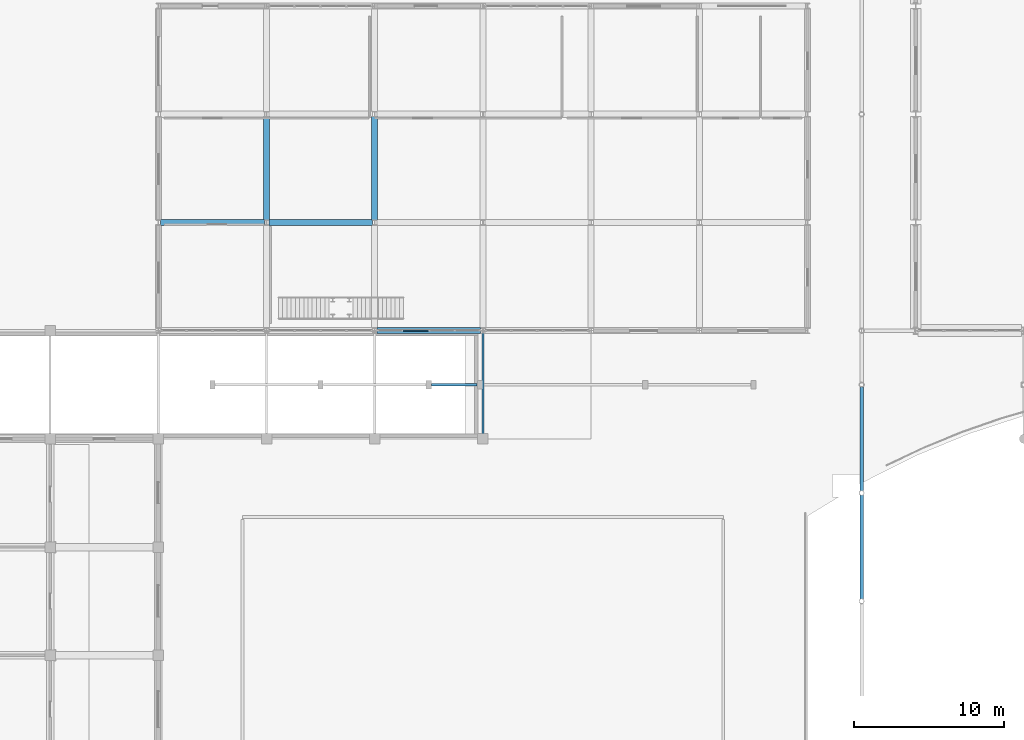
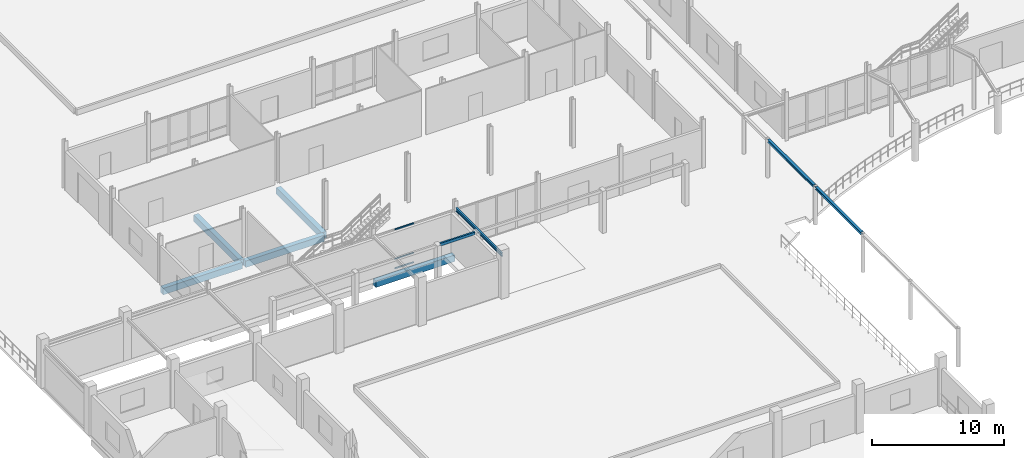
# One storey, part 31 of 139: 9 beams, 3 members, 1 element without a shape of its own.
"""IFC4 building model written with IfcOpenShell, lengths in metres."""

import ifcopenshell
import ifcopenshell.guid

model = None  # the IFC model being written
_history = None  # IfcOwnerHistory: only IFC2X3 demands one
_inside = {}  # id of a spatial element -> (the spatial element, [elements in it])
_under = {}  # id of a project, library or spatial element -> (it, [spatial elements below it])
_declared = {}  # id of a project -> (the project, [libraries it declares])
_typed = {}  # id of a type object -> (the type object, [elements of that type])
_made_of = {}  # id of a material, layer set ... -> (it, [elements and type objects made of it])


def new_model(schema):
    """Start an empty IFC model of exactly this schema.

    Asked for "IFC4X3", IfcOpenShell would pick the latest addendum, in which some entities
    have other attributes; the version numbers below select the first issue.
    IFC2X3 requires an IfcOwnerHistory on every rooted entity: one is made here for all.
    """
    global model, _history
    if schema == "IFC4X3":
        model = ifcopenshell.file(schema_version=(4, 3, 0, 0))
    else:
        model = ifcopenshell.file(schema=schema)
    _inside.clear()
    _under.clear()
    _declared.clear()
    _typed.clear()
    _made_of.clear()
    _history = None
    if model.schema == "IFC2X3":
        org = make("IfcOrganization", Name="unknown")
        user = make(
            "IfcPersonAndOrganization",
            ThePerson=make("IfcPerson", FamilyName="unknown"),
            TheOrganization=org,
        )
        app = make(
            "IfcApplication",
            ApplicationDeveloper=org,
            Version="unknown",
            ApplicationFullName="unknown",
            ApplicationIdentifier="unknown",
        )
        _history = make(
            "IfcOwnerHistory",
            OwningUser=user,
            OwningApplication=app,
            ChangeAction="ADDED",
            CreationDate=0,
        )
    return model


def make(cls, **values):
    """One entity of the class cls with the attributes given. An attribute that is None is left unset."""
    return model.create_entity(
        cls, **{name: value for name, value in values.items() if value is not None}
    )


def rooted(cls, **values):
    """An entity with a GlobalId (a new one), such as an element, a storey or a relation."""
    return make(cls, GlobalId=ifcopenshell.guid.new(), OwnerHistory=_history, **values)


def si_unit(unit_type, name, prefix=None):
    """IfcSIUnit, for example si_unit("LENGTHUNIT", "METRE", prefix="MILLI")."""
    return make("IfcSIUnit", UnitType=unit_type, Prefix=prefix, Name=name)


def assignment(units):
    """IfcUnitAssignment: the units of a project."""
    return None if units is None else make("IfcUnitAssignment", Units=units)


def point(xyz):
    """IfcCartesianPoint."""
    return None if xyz is None else make("IfcCartesianPoint", Coordinates=xyz)


def direction(xyz):
    """IfcDirection."""
    return None if xyz is None else make("IfcDirection", DirectionRatios=xyz)


def frame(location, z_axis=None, x_axis=None):
    """IfcAxis2Placement3D, a coordinate frame: its origin and axes. An axis left out is left unset."""
    return make(
        "IfcAxis2Placement3D",
        Location=point(location),
        Axis=direction(z_axis),
        RefDirection=direction(x_axis),
    )


def frame_2d(location, x_axis=None):
    """IfcAxis2Placement2D, a coordinate frame in the plane: its origin and x axis."""
    return make(
        "IfcAxis2Placement2D", Location=point(location), RefDirection=direction(x_axis)
    )


def origin():
    """The frame at (0, 0, 0) with its axes left unset."""
    return frame((0.0, 0.0, 0.0))


def origin_2d():
    """The frame at (0, 0) in the plane with its x axis left unset."""
    return frame_2d((0.0, 0.0))


def place(relative_to, where):
    """IfcLocalPlacement: puts the frame where relative to a parent placement (None: the world)."""
    return make(
        "IfcLocalPlacement", PlacementRelTo=relative_to, RelativePlacement=where
    )


def context(
    kind, dimensions, precision=None, world=None, true_north=None, identifier=None
):
    """IfcGeometricRepresentationContext, for example the 3D "Model" context."""
    return make(
        "IfcGeometricRepresentationContext",
        ContextIdentifier=identifier,
        ContextType=kind,
        CoordinateSpaceDimension=dimensions,
        Precision=precision,
        WorldCoordinateSystem=world,
        TrueNorth=true_north,
    )


def subcontext(parent, identifier, kind, view, scale=None):
    """IfcGeometricRepresentationSubContext, for example "Body" below "Model"."""
    return make(
        "IfcGeometricRepresentationSubContext",
        ContextIdentifier=identifier,
        ContextType=kind,
        ParentContext=parent,
        TargetScale=scale,
        TargetView=view,
    )


def project(units=None, contexts=None):
    """IfcProject with its units and contexts."""
    return rooted(
        "IfcProject",
        Name="project",
        RepresentationContexts=contexts,
        UnitsInContext=assignment(units),
    )


def spatial(cls, under=None, at=None, **own):
    """A site, building, storey or space (cls), placed at a placement, below another one or the project."""
    s = rooted(cls, ObjectPlacement=at, **own)
    if under is not None:
        _under.setdefault(under.id(), (under, []))[1].append(s)
    return s


def profile(cls, at=None, kind="AREA", **sizes):
    """A parametric profile (cls). Its sizes go by their IFC names, for example OverallWidth=200.0."""
    return make(cls, ProfileType=kind, Position=at, **sizes)


def rectangle(**sizes):
    """IfcRectangleProfileDef."""
    return profile("IfcRectangleProfileDef", **sizes)


def hollow_rectangle(**sizes):
    """IfcRectangleHollowProfileDef."""
    return profile("IfcRectangleHollowProfileDef", **sizes)


def i_section(**sizes):
    """IfcIShapeProfileDef."""
    return profile("IfcIShapeProfileDef", **sizes)


def extrude(swept, where, along, depth):
    """IfcExtrudedAreaSolid: the profile swept, set in the frame where, extruded along a direction by depth."""
    return make(
        "IfcExtrudedAreaSolid",
        SweptArea=swept,
        Position=where,
        ExtrudedDirection=direction(along),
        Depth=depth,
    )


def shape(context_of_items, identifier, shape_type, items):
    """IfcShapeRepresentation: the items that make up one representation, for example the "Body"."""
    return make(
        "IfcShapeRepresentation",
        ContextOfItems=context_of_items,
        RepresentationIdentifier=identifier,
        RepresentationType=shape_type,
        Items=items,
    )


def material(Name=None, Category=None):
    """IfcMaterial."""
    return make("IfcMaterial", Name=Name, Category=Category)


def material_profile(
    of_material, cross_section, Name=None, Category=None, Priority=None
):
    """IfcMaterialProfile: a cross section and its material."""
    return make(
        "IfcMaterialProfile",
        Name=Name,
        Material=of_material,
        Profile=cross_section,
        Priority=Priority,
        Category=Category,
    )


def profile_set(profiles, Name=None, composite=None):
    """IfcMaterialProfileSet."""
    return make(
        "IfcMaterialProfileSet",
        Name=Name,
        MaterialProfiles=profiles,
        CompositeProfile=composite,
    )


def made_of(thing, what):
    """Note that an element or type object is made of a material, layer set ...; save() writes the relation."""
    if what is not None:
        _made_of.setdefault(what.id(), (what, []))[1].append(thing)
    return thing


def type_object(cls, material=None, **own):
    """A type object (cls), such as IfcWallType, which elements share."""
    return made_of(rooted(cls, **own), material)


def element(
    cls,
    number,
    at=None,
    inside=None,
    cuts=None,
    type_object=None,
    material=None,
    context=None,
    identifier="Body",
    shape_type=None,
    held_by="IfcProductDefinitionShape",
    body=None,
    shapes=None,
    **own,
):
    """One element of the class cls, such as IfcWall. Its Tag is "e" and its number.

    at: its placement. inside: the storey or other place that contains it. cuts: it is an
    opening in that element (IfcRelVoidsElement). A single representation is given by context,
    identifier, shape_type and body (its items); several are given by shapes. held_by: the class
    of the entity that holds the representations. save() writes the other relations.
    """
    e = rooted(cls, Tag="e%d" % number, ObjectPlacement=at, **own)
    if body is not None:
        shapes = [shape(context, identifier, shape_type, body)]
    if shapes is not None:
        e.Representation = make(held_by, Representations=shapes)
    if inside is not None:
        _inside.setdefault(inside.id(), (inside, []))[1].append(e)
    if cuts is not None:
        rooted(
            "IfcRelVoidsElement", RelatingBuildingElement=cuts, RelatedOpeningElement=e
        )
    if type_object is not None:
        _typed.setdefault(type_object.id(), (type_object, []))[1].append(e)
    return made_of(e, material)


def aggregate(whole, parts):
    """IfcRelAggregates: a whole, such as a stair, and the parts it consists of."""
    return rooted("IfcRelAggregates", RelatingObject=whole, RelatedObjects=parts)


def save(model, path):
    """Write the relations noted so far, then the file.

    IfcRelAggregates (storeys below a building ...), IfcRelContainedInSpatialStructure (elements
    in a storey), IfcRelDefinesByType, IfcRelAssociatesMaterial and IfcRelDeclares: one each for
    every whole, place, type object, material and project.
    """
    for whole, parts in _under.values():
        aggregate(whole, parts)
    for where, things in _inside.values():
        rooted(
            "IfcRelContainedInSpatialStructure",
            RelatedElements=things,
            RelatingStructure=where,
        )
    for kind, things in _typed.values():
        rooted("IfcRelDefinesByType", RelatedObjects=things, RelatingType=kind)
    for what, things in _made_of.values():
        rooted("IfcRelAssociatesMaterial", RelatedObjects=things, RelatingMaterial=what)
    for by, libraries in _declared.values():
        rooted("IfcRelDeclares", RelatingContext=by, RelatedDefinitions=libraries)
    model.write(path)


model = new_model("IFC4")

# Units and contexts
model_context = context("Model", 3, precision=1e-05, world=origin(), true_north=direction((0.0, 1.0)))
body_context = subcontext(model_context, "Body", "Model", "MODEL_VIEW")
ifc_project = project(units=[si_unit("LENGTHUNIT", "METRE"), si_unit("AREAUNIT", "SQUARE_METRE"), si_unit("VOLUMEUNIT", "CUBIC_METRE"), si_unit("PLANEANGLEUNIT", "RADIAN"), si_unit("MASSUNIT", "GRAM", prefix="KILO")], contexts=[model_context])

# Site, building, storey
site_placement = place(None, origin())
site = spatial("IfcSite", under=ifc_project, at=site_placement, CompositionType="ELEMENT")
building_placement = place(site_placement, origin())
building = spatial("IfcBuilding", under=site, at=building_placement, Name="Suanplinth Sawtooth Commons", CompositionType="ELEMENT")
storey_placement = place(building_placement, origin())
storey = spatial("IfcBuildingStorey", under=building, at=storey_placement, Name="L00", CompositionType="ELEMENT", Elevation=0.0)

# Beams
ifc_material_1 = material(Name="Precast concrete C40/50", Category="concrete")
ifc_material_profile_1 = material_profile(ifc_material_1, rectangle(XDim=0.39990234375, YDim=0.60009765625, at=origin_2d()), Name="PC-GDR 400x600")
ifc_profile_set_1 = profile_set([ifc_material_profile_1], Name="Precast concrete C40/50")
beam_type_1 = type_object("IfcBeamType", Name="B-05", PredefinedType="USERDEFINED", material=ifc_profile_set_1)
for number, where, z_axis, x_axis, name in (
    (1, (14.550048828125, 57.60009765625, -0.7099609375), (1.0, 0.0, 0.0), (0.0, 1.0, 0.0), "BMX-L00-MKT-2-8"),
    (2, (21.75, 57.60009765625, -0.7099609375), (1.0, 0.0, 0.0), (0.0, 1.0, 0.0), "BMX-L00-MKT-3-8"),
):
    element("IfcBeam", number, at=place(storey_placement, frame(where, z_axis=z_axis, x_axis=x_axis)), inside=storey, type_object=beam_type_1, Name=name, ObjectType="GIRDER", PredefinedType="USERDEFINED", context=body_context, shape_type="SweptSolid", body=[
        extrude(rectangle(XDim=0.39990234375, YDim=0.60009765625, at=origin_2d()), origin(), (0.0, 0.0, 1.0), 6.89990234375),
    ])
beam_1_placement = place(storey_placement, frame((28.949951171875, 50.39990234375, -0.7099609375), z_axis=(1.0, 0.0, 0.0), x_axis=(0.0, 1.0, 0.0)))
element("IfcBeam", 3, at=beam_1_placement, inside=storey, type_object=beam_type_1, Name="BMX-L00-MKT-4-7", ObjectType="GIRDER", PredefinedType="USERDEFINED", context=body_context, shape_type="SweptSolid", body=[
    extrude(rectangle(XDim=0.39990234375, YDim=0.60009765625, at=origin_2d()), origin(), (0.0, 0.0, 1.0), 6.900146484375),
])
for number, where, z_axis, x_axis, name in (
    (4, (21.60009765625, 57.75, -0.7099609375), (0.0, 1.0, 0.0), (-1.0, 0.0, 0.0), "BMY-L00-MKT-3-8"),
    (5, (28.800048828125, 57.75, -0.7099609375), (0.0, 1.0, 0.0), (-1.0, 0.0, 0.0), "BMY-L00-MKT-4-8"),
):
    element("IfcBeam", number, at=place(storey_placement, frame(where, z_axis=z_axis, x_axis=x_axis)), inside=storey, type_object=beam_type_1, Name=name, ObjectType="GIRDER", PredefinedType="USERDEFINED", context=body_context, shape_type="SweptSolid", body=[
        extrude(rectangle(XDim=0.39990234375, YDim=0.60009765625, at=origin_2d()), origin(), (0.0, 0.0, 1.0), 6.89990234375),
    ])
ifc_material_2 = material(Name="Steel S355JR", Category="steel")
ifc_material_profile_2 = material_profile(ifc_material_2, i_section(OverallWidth=0.14990234375, OverallDepth=0.300048828125, WebThickness=0.007080078125, FlangeThickness=0.0107421875, at=origin_2d()), Name="IPE 300")
ifc_profile_set_2 = profile_set([ifc_material_profile_2], Name="Steel S355JR")
beam_type_2 = type_object("IfcBeamType", Name="B-13", PredefinedType="BEAM", material=ifc_profile_set_2)
beam_2_placement = place(storey_placement, frame((36.0, 43.280029296875, 3.75), z_axis=(0.0, 1.0, 0.0), x_axis=(-1.0, 0.0, 0.0)))
element("IfcBeam", 6, at=beam_2_placement, inside=storey, type_object=beam_type_2, Name="Ramp Pavilion Steel Rafter 6", PredefinedType="BEAM", context=body_context, shape_type="SweptSolid", body=[
    extrude(i_section(OverallWidth=0.14990234375, OverallDepth=0.300048828125, WebThickness=0.007080078125, FlangeThickness=0.0107421875, at=origin_2d()), origin(), (0.0, 0.0, 1.0), 6.969970703125),
])
ifc_material_profile_3 = material_profile(ifc_material_2, i_section(OverallWidth=0.239990234375, OverallDepth=0.22998046875, WebThickness=0.007568359375, FlangeThickness=0.011962890625, at=origin_2d()), Name="HEA 240")
ifc_profile_set_3 = profile_set([ifc_material_profile_3], Name="Steel S355JR")
beam_type_3 = type_object("IfcBeamType", Name="B-17", PredefinedType="BEAM", material=ifc_profile_set_3)
for number, where, z_axis, x_axis, name in (
    (7, (61.199951171875, 32.5400390625, 3.43994140625), (0.0, 1.0, 0.0), (-1.0, 0.0, 0.0), "West Breezeway Spine Beam 3"),
    (8, (61.199951171875, 39.739990234375, 3.43994140625), (0.0, 1.0, 0.0), (-1.0, 0.0, 0.0), "West Breezeway Spine Beam 4"),
):
    element("IfcBeam", number, at=place(storey_placement, frame(where, z_axis=z_axis, x_axis=x_axis)), inside=storey, type_object=beam_type_3, Name=name, PredefinedType="BEAM", context=body_context, shape_type="SweptSolid", body=[
        extrude(i_section(OverallWidth=0.239990234375, OverallDepth=0.22998046875, WebThickness=0.007568359375, FlangeThickness=0.011962890625, at=origin_2d()), origin(), (0.0, 0.0, 1.0), 6.919921875),
    ])
ifc_material_profile_4 = material_profile(ifc_material_2, hollow_rectangle(XDim=0.14990234375, YDim=0.25, WallThickness=0.010009765625, at=origin_2d()), Name="RHS 250x150x10")
ifc_profile_set_4 = profile_set([ifc_material_profile_4], Name="Steel S355JR")
beam_type_4 = type_object("IfcBeamType", Name="B-18", PredefinedType="BEAM", material=ifc_profile_set_4)
beam_3_placement = place(storey_placement, frame((32.580078125, 46.800048828125, 3.77490234375), z_axis=(1.0, 0.0, 0.0), x_axis=(0.0, 1.0, 0.0)))
element("IfcBeam", 9, at=beam_3_placement, inside=storey, type_object=beam_type_4, Name="Market Porch Edge Beam 3", PredefinedType="BEAM", context=body_context, shape_type="SweptSolid", body=[
    extrude(hollow_rectangle(XDim=0.14990234375, YDim=0.25, WallThickness=0.010009765625, at=origin_2d()), origin(), (0.0, 0.0, 1.0), 3.0400390625),
])

# Curtain wall, members
ifc_material_3 = material(Name="Anodized aluminium and low-E glazing", Category="aluminium")
curtain_wall_type = type_object("IfcCurtainWallType", Name="CW-02", PredefinedType="USERDEFINED", material=ifc_material_3)
curtain_wall_placement = place(storey_placement, origin())
curtain_wall = element("IfcCurtainWall", 10, at=curtain_wall_placement, inside=storey, type_object=curtain_wall_type, Name="Curtain Wall CW-L00-MKT-S-4", ObjectType="CURTAIN WALL", PredefinedType="USERDEFINED")
ifc_material_4 = material(Name="Anodized aluminium 6063-T6", Category="aluminium")
ifc_material_profile_5 = material_profile(ifc_material_4, hollow_rectangle(XDim=0.06494140625, YDim=0.1201171875, WallThickness=0.00390625, at=origin_2d()), Name="ALU-TRN 65x120")
ifc_profile_set_5 = profile_set([ifc_material_profile_5], Name="Anodized aluminium 6063-T6")
member_type = type_object("IfcMemberType", Name="M-15", PredefinedType="USERDEFINED", material=ifc_profile_set_5)
member_1_placement = place(storey_placement, frame((30.70751953125, 50.39990234375, 0.032470703125), z_axis=(1.0, 0.0, 0.0), x_axis=(0.0, 1.0, 0.0)))
member_1 = element("IfcMember", 11, at=member_1_placement, type_object=member_type, Name="CW-02 transom 2.1", ObjectType="TRANSOM", PredefinedType="USERDEFINED", context=body_context, shape_type="SweptSolid", body=[
    extrude(hollow_rectangle(XDim=0.06494140625, YDim=0.1201171875, WallThickness=0.00390625, at=origin_2d()), origin(), (0.0, 0.0, 1.0), 1.659912109375),
])
member_2_placement = place(storey_placement, frame((30.70751953125, 50.39990234375, 0.89990234375), z_axis=(1.0, 0.0, 0.0), x_axis=(0.0, 1.0, 0.0)))
member_2 = element("IfcMember", 12, at=member_2_placement, type_object=member_type, Name="CW-02 transom 2.2", ObjectType="TRANSOM", PredefinedType="USERDEFINED", context=body_context, shape_type="SweptSolid", body=[
    extrude(hollow_rectangle(XDim=0.06494140625, YDim=0.1201171875, WallThickness=0.00390625, at=origin_2d()), origin(), (0.0, 0.0, 1.0), 1.659912109375),
])
member_3_placement = place(storey_placement, frame((30.70751953125, 50.39990234375, 3.617431640625), z_axis=(1.0, 0.0, 0.0), x_axis=(0.0, 1.0, 0.0)))
member_3 = element("IfcMember", 13, at=member_3_placement, type_object=member_type, Name="CW-02 transom 2.3", ObjectType="TRANSOM", PredefinedType="USERDEFINED", context=body_context, shape_type="SweptSolid", body=[
    extrude(hollow_rectangle(XDim=0.06494140625, YDim=0.1201171875, WallThickness=0.00390625, at=origin_2d()), origin(), (0.0, 0.0, 1.0), 1.659912109375),
])
aggregate(curtain_wall, [member_1, member_2, member_3])

save(model, "model.ifc")
